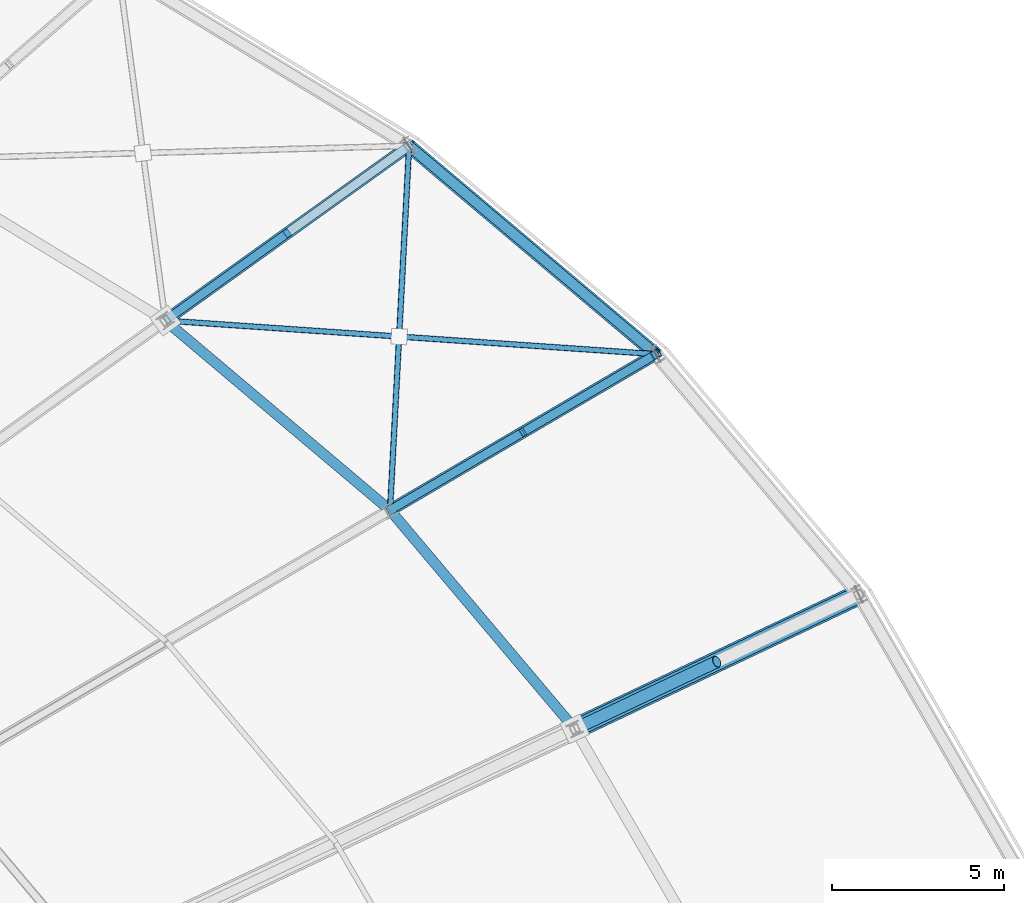
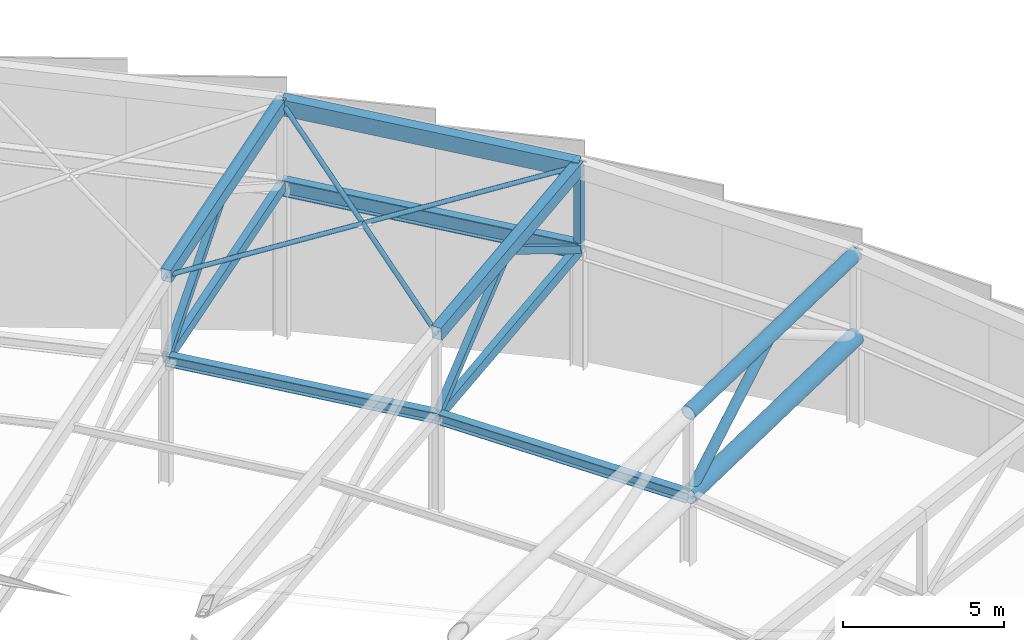
# One storey, part 84 of 143: 10 beams, 8 members.
"""IFC4 building model written with IfcOpenShell, lengths in metres."""

from ifc_helpers import new_model, si_unit, direction, frame, origin, origin_2d, place, context, subcontext, project, spatial, hollow_rectangle, hollow_circle, i_section, extrude, material, material_profile, profile_set, type_object, element, save


model = new_model("IFC4")

# Units and contexts
model_context = context("Model", 3, precision=1e-05, world=origin(), true_north=direction((0.0, 1.0)))
body_context = subcontext(model_context, "Body", "Model", "MODEL_VIEW")
ifc_project = project(units=[si_unit("LENGTHUNIT", "METRE"), si_unit("AREAUNIT", "SQUARE_METRE"), si_unit("VOLUMEUNIT", "CUBIC_METRE"), si_unit("PLANEANGLEUNIT", "RADIAN"), si_unit("MASSUNIT", "GRAM", prefix="KILO")], contexts=[model_context])

# Site, building, storey
site_placement = place(None, origin())
site = spatial("IfcSite", under=ifc_project, at=site_placement, CompositionType="ELEMENT")
building_placement = place(site_placement, origin())
building = spatial("IfcBuilding", under=site, at=building_placement, Name="Mphavela Belvedere Stadium", CompositionType="ELEMENT")
storey_placement = place(building_placement, frame((0.0, 0.0, 28.800048828125)))
storey = spatial("IfcBuildingStorey", under=building, at=storey_placement, Name="RF", CompositionType="ELEMENT", Elevation=28.800048828125)

# Beams
ifc_material_1 = material(Name="Steel S355", Category="steel")
ifc_material_profile_1 = material_profile(ifc_material_1, hollow_rectangle(XDim=0.39990234375, YDim=0.60009765625, WallThickness=0.02001953125, at=origin_2d()), Name="RHS 600x400x20")
ifc_profile_set_1 = profile_set([ifc_material_profile_1], Name="Steel S355")
beam_type_1 = type_object("IfcBeamType", Name="BM-RING-OUT", PredefinedType="BEAM", material=ifc_profile_set_1)
beam_1_placement = place(storey_placement, frame((201.33837890625, 137.653564453125, 7.563720703125), z_axis=(-0.75767620919, 0.639341612092, 0.131030779116), x_axis=(-0.644901761212, -0.76426547638, 0.0)))
element("IfcBeam", 1, at=beam_1_placement, inside=storey, type_object=beam_type_1, Name="Perimeter compression ring beam RB-OUT-06", PredefinedType="BEAM", context=body_context, shape_type="SweptSolid", body=[
    extrude(hollow_rectangle(XDim=0.39990234375, YDim=0.60009765625, WallThickness=0.02001953125, at=origin_2d()), origin(), (0.0, 0.0, 1.0), 9.480224609375),
])
ifc_material_2 = material(Name="Steel S355", Category="steel")
ifc_material_profile_2 = material_profile(ifc_material_2, i_section(OverallWidth=0.300048828125, OverallDepth=0.39990234375, WebThickness=0.013427734375, FlangeThickness=0.02392578125, at=origin_2d()), Name="HEB 400")
ifc_profile_set_2 = profile_set([ifc_material_profile_2], Name="Steel S355")
beam_type_2 = type_object("IfcBeamType", Name="BM-STEEL-HEB400", PredefinedType="BEAM", material=ifc_profile_set_2)
beam_2_placement = place(storey_placement, frame((198.9755859375, 126.748291015625, 2.516357421875), z_axis=(-0.640076100613, 0.75799174144, 0.125503407655), x_axis=(-0.764032804808, -0.645177396673, 0.0)))
element("IfcBeam", 2, at=beam_2_placement, inside=storey, type_object=beam_type_2, Name="Roof bottom-chord tie girder R3-05", PredefinedType="BEAM", context=body_context, shape_type="SweptSolid", body=[
    extrude(i_section(OverallWidth=0.300048828125, OverallDepth=0.39990234375, WebThickness=0.013427734375, FlangeThickness=0.02392578125, at=origin_2d()), origin(), (0.0, 0.0, 1.0), 8.397705078125),
])
beam_3_placement = place(storey_placement, frame((193.600341796875, 133.11376953125, 3.5703125), z_axis=(-0.757674039496, 0.639344047441, 0.131031442314), x_axis=(-0.644904274761, -0.764263355392, 0.0)))
element("IfcBeam", 3, at=beam_3_placement, inside=storey, type_object=beam_type_2, Name="Roof bottom-chord tie girder R3-06", PredefinedType="BEAM", context=body_context, shape_type="SweptSolid", body=[
    extrude(i_section(OverallWidth=0.300048828125, OverallDepth=0.39990234375, WebThickness=0.013427734375, FlangeThickness=0.02392578125, at=origin_2d()), origin(), (0.0, 0.0, 1.0), 8.63037109375),
])
ifc_material_3 = material(Name="Steel S355", Category="steel")
ifc_material_profile_3 = material_profile(ifc_material_3, i_section(OverallWidth=0.300048828125, OverallDepth=0.60009765625, WebThickness=0.015380859375, FlangeThickness=0.030029296875, at=origin_2d()), Name="HEB 600")
ifc_profile_set_3 = profile_set([ifc_material_profile_3], Name="Steel S355")
beam_type_3 = type_object("IfcBeamType", Name="BM-STEEL-HEB600", PredefinedType="BEAM", material=ifc_profile_set_3)
beam_4_placement = place(storey_placement, frame((201.33837890625, 137.653564453125, 4.46875), z_axis=(-0.75767620919, 0.639341612092, 0.131030779116), x_axis=(-0.644901761212, -0.76426547638, 0.0)))
element("IfcBeam", 4, at=beam_4_placement, inside=storey, type_object=beam_type_3, Name="Roof bottom-chord tie girder R4-06", PredefinedType="BEAM", context=body_context, shape_type="SweptSolid", body=[
    extrude(i_section(OverallWidth=0.300048828125, OverallDepth=0.60009765625, WebThickness=0.015380859375, FlangeThickness=0.030029296875, at=origin_2d()), origin(), (0.0, 0.0, 1.0), 9.480224609375),
])
ifc_material_4 = material(Name="Steel S355", Category="steel")
ifc_material_profile_4 = material_profile(ifc_material_4, hollow_circle(Radius=0.304931640625, WallThickness=0.02490234375, at=origin_2d()), Name="CHS 610x25")
ifc_profile_set_4 = profile_set([ifc_material_profile_4], Name="Steel S355")
beam_type_4 = type_object("IfcBeamType", Name="BM-TRUSS-BC1", PredefinedType="BEAM", material=ifc_profile_set_4)
beam_5_placement = place(storey_placement, frame((207.242431640625, 130.66162109375, 3.31103515625), z_axis=(-0.900453046882, -0.426253267431, -0.086559010886), x_axis=(0.427859140325, -0.903845427073, 0.0)))
element("IfcBeam", 5, at=beam_5_placement, inside=storey, type_object=beam_type_4, Name="Radial roof truss RT-05 bottom chord 1", PredefinedType="BEAM", context=body_context, shape_type="SweptSolid", body=[
    extrude(hollow_circle(Radius=0.304931640625, WallThickness=0.02490234375, at=origin_2d()), origin(), (0.0, 0.0, 1.0), 9.1806640625),
])
ifc_material_5 = material(Name="Steel S355", Category="steel")
ifc_material_profile_5 = material_profile(ifc_material_5, hollow_rectangle(XDim=0.25, YDim=0.39990234375, WallThickness=0.01611328125, at=origin_2d()), Name="RHS 400x250x16")
ifc_profile_set_5 = profile_set([ifc_material_profile_5], Name="Steel S355")
beam_type_5 = type_object("IfcBeamType", Name="BM-TRUSS-BC2", PredefinedType="BEAM", material=ifc_profile_set_5)
beam_6_placement = place(storey_placement, frame((201.33837890625, 137.653564453125, 4.46875), z_axis=(-0.858225019293, -0.503508257888, -0.099645624578), x_axis=(0.506026758411, -0.862517779395, 0.0)))
element("IfcBeam", 6, at=beam_6_placement, inside=storey, type_object=beam_type_5, Name="Radial roof truss RT-06 bottom chord 1", PredefinedType="BEAM", context=body_context, shape_type="SweptSolid", body=[
    extrude(hollow_rectangle(XDim=0.25, YDim=0.39990234375, WallThickness=0.01611328125, at=origin_2d()), origin(), (0.0, 0.0, 1.0), 9.016357421875),
])
beam_7_placement = place(storey_placement, frame((194.155517578125, 143.714599609375, 5.7109375), z_axis=(-0.807495008804, -0.57856858983, -0.114935623801), x_axis=(0.582428376319, -0.812882024932, 0.0)))
element("IfcBeam", 7, at=beam_7_placement, inside=storey, type_object=beam_type_5, Name="Radial roof truss RT-07 bottom chord 1", PredefinedType="BEAM", context=body_context, shape_type="SweptSolid", body=[
    extrude(hollow_rectangle(XDim=0.25, YDim=0.39990234375, WallThickness=0.01611328125, at=origin_2d()), origin(), (0.0, 0.0, 1.0), 8.785400390625),
])
ifc_material_6 = material(Name="Steel S355", Category="steel")
ifc_material_profile_6 = material_profile(ifc_material_6, hollow_circle(Radius=0.25390625, WallThickness=0.02490234375, at=origin_2d()), Name="CHS 508x25")
ifc_profile_set_6 = profile_set([ifc_material_profile_6], Name="Steel S355")
beam_type_6 = type_object("IfcBeamType", Name="BM-TRUSS-TC1", PredefinedType="BEAM", material=ifc_profile_set_6)
beam_8_placement = place(storey_placement, frame((207.242431640625, 130.66162109375, 6.4609375), z_axis=(-0.900453046882, -0.426253267431, -0.086559010886), x_axis=(0.427859140325, -0.903845427073, 0.0)))
element("IfcBeam", 8, at=beam_8_placement, inside=storey, type_object=beam_type_6, Name="Radial roof truss RT-05 top chord 1", PredefinedType="BEAM", context=body_context, shape_type="SweptSolid", body=[
    extrude(hollow_circle(Radius=0.25390625, WallThickness=0.02490234375, at=origin_2d()), origin(), (0.0, 0.0, 1.0), 9.1806640625),
])
ifc_material_7 = material(Name="Steel S355", Category="steel")
ifc_material_profile_7 = material_profile(ifc_material_7, hollow_rectangle(XDim=0.35009765625, YDim=0.5, WallThickness=0.02001953125, at=origin_2d()), Name="RHS 500x350x20")
ifc_profile_set_7 = profile_set([ifc_material_profile_7], Name="Steel S355")
beam_type_7 = type_object("IfcBeamType", Name="BM-TRUSS-TC2", PredefinedType="BEAM", material=ifc_profile_set_7)
beam_9_placement = place(storey_placement, frame((201.33837890625, 137.653564453125, 7.61865234375), z_axis=(-0.858225019293, -0.503508257888, -0.099645624578), x_axis=(0.506026758411, -0.862517779395, 0.0)))
element("IfcBeam", 9, at=beam_9_placement, inside=storey, type_object=beam_type_7, Name="Radial roof truss RT-06 top chord 1", PredefinedType="BEAM", context=body_context, shape_type="SweptSolid", body=[
    extrude(hollow_rectangle(XDim=0.35009765625, YDim=0.5, WallThickness=0.02001953125, at=origin_2d()), origin(), (0.0, 0.0, 1.0), 9.016357421875),
])
beam_10_placement = place(storey_placement, frame((194.155517578125, 143.714599609375, 8.86083984375), z_axis=(-0.807497587607, -0.578570437538, -0.114908201692), x_axis=(0.582428376319, -0.812882024932, 0.0)))
element("IfcBeam", 10, at=beam_10_placement, inside=storey, type_object=beam_type_7, Name="Radial roof truss RT-07 top chord 1", PredefinedType="BEAM", context=body_context, shape_type="SweptSolid", body=[
    extrude(hollow_rectangle(XDim=0.35009765625, YDim=0.5, WallThickness=0.02001953125, at=origin_2d()), origin(), (0.0, 0.0, 1.0), 8.785400390625),
])

# Members
ifc_material_8 = material(Name="Steel S355", Category="steel")
ifc_material_profile_8 = material_profile(ifc_material_8, hollow_circle(Radius=0.177734375, WallThickness=0.01611328125, at=origin_2d()), Name="CHS 355.6x16")
ifc_profile_set_8 = profile_set([ifc_material_profile_8], Name="Steel S355")
member_type_1 = type_object("IfcMemberType", Name="MEM-DIAG-355", PredefinedType="BRACE", material=ifc_profile_set_8)
member_1_placement = place(storey_placement, frame((203.10888671875, 128.704833984375, 6.063720703125), z_axis=(-0.714168011472, -0.338059211101, -0.612927419178), x_axis=(0.427847656152, -0.903850863321, 0.0)))
element("IfcMember", 11, at=member_1_placement, inside=storey, type_object=member_type_1, Name="Radial roof truss RT-05 web diagonal D2", PredefinedType="BRACE", context=body_context, shape_type="SweptSolid", body=[
    extrude(hollow_circle(Radius=0.177734375, WallThickness=0.01611328125, at=origin_2d()), origin(), (0.0, 0.0, 1.0), 5.78759765625),
])
ifc_material_9 = material(Name="Steel S355", Category="steel")
ifc_material_profile_9 = material_profile(ifc_material_9, hollow_rectangle(XDim=0.25, YDim=0.25, WallThickness=0.012451171875, at=origin_2d()), Name="SHS 250x250x12.5")
ifc_profile_set_9 = profile_set([ifc_material_profile_9], Name="Steel S355")
member_type_2 = type_object("IfcMemberType", Name="MEM-POST-SHS250", PredefinedType="POST", material=ifc_profile_set_9)
member_2_placement = place(storey_placement, frame((201.33837890625, 137.653564453125, 4.46875), z_axis=(0.0, 0.0, 1.0), x_axis=(0.862513669207, 0.506033764121, 0.0)))
element("IfcMember", 12, at=member_2_placement, inside=storey, type_object=member_type_2, Name="Radial roof truss RT-06 post P1", PredefinedType="POST", context=body_context, shape_type="SweptSolid", body=[
    extrude(hollow_rectangle(XDim=0.25, YDim=0.25, WallThickness=0.012451171875, at=origin_2d()), origin(), (0.0, 0.0, 1.0), 3.14990234375),
])
member_3_placement = place(storey_placement, frame((201.33837890625, 137.653564453125, 4.46875), z_axis=(-0.738911904793, -0.433545963953, 0.515797532076), x_axis=(0.506058880499, -0.862498933025, 0.0)))
element("IfcMember", 13, at=member_3_placement, inside=storey, type_object=member_type_2, Name="Radial roof truss RT-06 web diagonal D1", PredefinedType="POST", context=body_context, shape_type="SweptSolid", body=[
    extrude(hollow_rectangle(XDim=0.25, YDim=0.25, WallThickness=0.012451171875, at=origin_2d()), origin(), (0.0, 0.0, 1.0), 5.23583984375),
])
member_4_placement = place(storey_placement, frame((197.469482421875, 135.383544921875, 7.16943359375), z_axis=(-0.672758698708, -0.394664160897, -0.625808224152), x_axis=(0.505994636245, -0.862536624203, 0.0)))
element("IfcMember", 14, at=member_4_placement, inside=storey, type_object=member_type_2, Name="Radial roof truss RT-06 web diagonal D2", PredefinedType="POST", context=body_context, shape_type="SweptSolid", body=[
    extrude(hollow_rectangle(XDim=0.25, YDim=0.25, WallThickness=0.012451171875, at=origin_2d()), origin(), (0.0, 0.0, 1.0), 5.751220703125),
])
member_5_placement = place(storey_placement, frame((190.6083984375, 141.173095703125, 8.35595703125), z_axis=(-0.623177325209, -0.446505331091, -0.642092680734), x_axis=(0.582428376319, -0.812882024932, 0.0)))
element("IfcMember", 15, at=member_5_placement, inside=storey, type_object=member_type_2, Name="Radial roof truss RT-07 web diagonal D2", PredefinedType="POST", context=body_context, shape_type="SweptSolid", body=[
    extrude(hollow_rectangle(XDim=0.25, YDim=0.25, WallThickness=0.012451171875, at=origin_2d()), origin(), (0.0, 0.0, 1.0), 5.69189453125),
])
ifc_material_10 = material(Name="Steel S355", Category="steel")
ifc_material_profile_10 = material_profile(ifc_material_10, hollow_circle(Radius=0.084228515625, WallThickness=0.010009765625, at=origin_2d()), Name="CHS 168.3x10")
ifc_profile_set_10 = profile_set([ifc_material_profile_10], Name="Steel S355")
member_type_3 = type_object("IfcMemberType", Name="MEM-ROOF-XBRACE", PredefinedType="BRACE", material=ifc_profile_set_10)
member_6_placement = place(storey_placement, frame((193.600341796875, 133.11376953125, 6.72021484375), z_axis=(0.05126731576, 0.978926173095, 0.197674505094), x_axis=(-0.998631455124, 0.052299300545, 0.0)))
element("IfcMember", 16, at=member_6_placement, inside=storey, type_object=member_type_3, Name="Roof diaphragm continuous X-brace A 06", PredefinedType="BRACE", context=body_context, shape_type="SweptSolid", body=[
    extrude(hollow_circle(Radius=0.084228515625, WallThickness=0.010009765625, at=origin_2d()), origin(), (0.0, 0.0, 1.0), 10.8291015625),
])
member_7_placement = place(storey_placement, frame((201.33837890625, 137.653564453125, 7.61865234375), z_axis=(-0.997530391151, 0.068335605836, 0.016228484362), x_axis=(-0.068344606173, -0.997661773753, 0.0)))
element("IfcMember", 17, at=member_7_placement, inside=storey, type_object=member_type_3, Name="Roof diaphragm split X-brace B1 06", PredefinedType="BRACE", context=body_context, shape_type="SweptSolid", body=[
    extrude(hollow_circle(Radius=0.084228515625, WallThickness=0.010009765625, at=origin_2d()), origin(), (0.0, 0.0, 1.0), 7.491943359375),
])
member_8_placement = place(storey_placement, frame((193.864990234375, 138.16552734375, 7.740234375), z_axis=(-0.997529670821, 0.068332285833, 0.016286637011), x_axis=(-0.068341350361, -0.997661996786, 0.0)))
element("IfcMember", 18, at=member_8_placement, inside=storey, type_object=member_type_3, Name="Roof diaphragm split X-brace B2 06", PredefinedType="BRACE", context=body_context, shape_type="SweptSolid", body=[
    extrude(hollow_circle(Radius=0.084228515625, WallThickness=0.010009765625, at=origin_2d()), origin(), (0.0, 0.0, 1.0), 6.820556640625),
])

save(model, "model.ifc")
